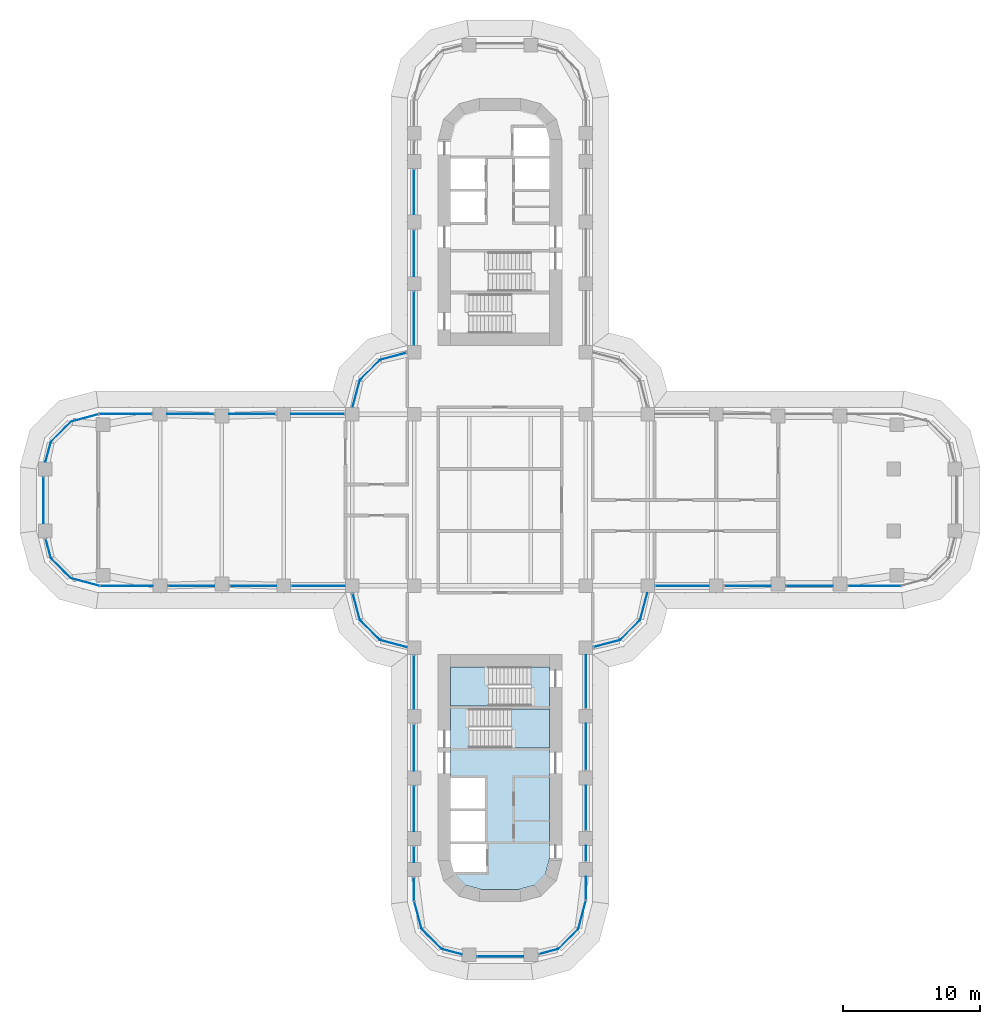
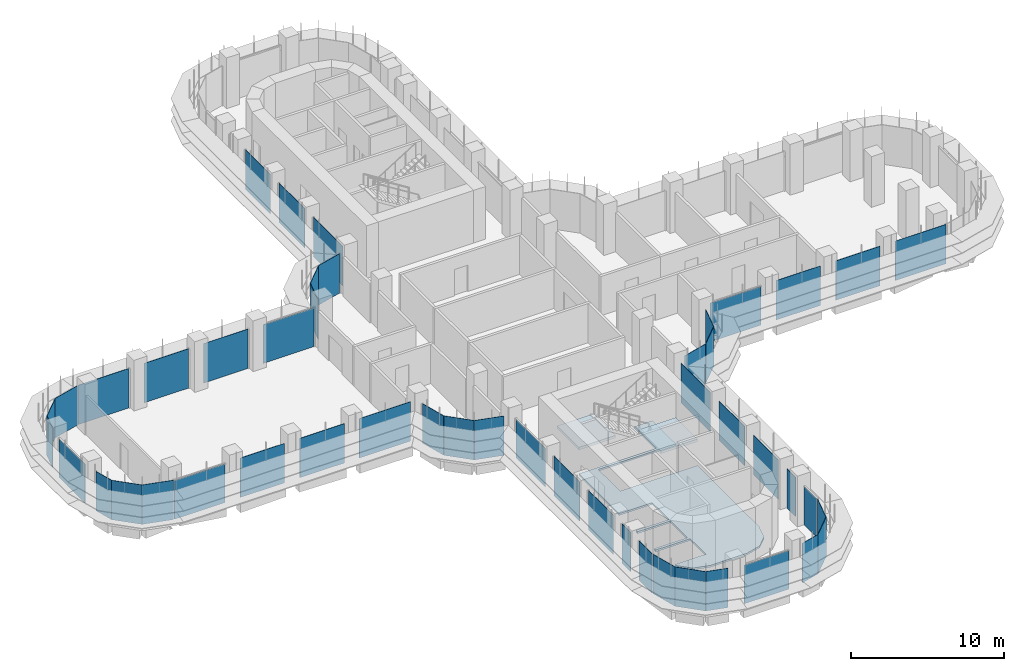
# One storey, part 13 of 23: 48 plates, 3 slabs, 31 elements without a shape of their own.
"""IFC4 building model written with IfcOpenShell, lengths in metres."""

import ifcopenshell
import ifcopenshell.guid

model = None  # the IFC model being written
_history = None  # IfcOwnerHistory: only IFC2X3 demands one
_inside = {}  # id of a spatial element -> (the spatial element, [elements in it])
_under = {}  # id of a project, library or spatial element -> (it, [spatial elements below it])
_declared = {}  # id of a project -> (the project, [libraries it declares])
_typed = {}  # id of a type object -> (the type object, [elements of that type])
_made_of = {}  # id of a material, layer set ... -> (it, [elements and type objects made of it])


def new_model(schema):
    """Start an empty IFC model of exactly this schema.

    Asked for "IFC4X3", IfcOpenShell would pick the latest addendum, in which some entities
    have other attributes; the version numbers below select the first issue.
    IFC2X3 requires an IfcOwnerHistory on every rooted entity: one is made here for all.
    """
    global model, _history
    if schema == "IFC4X3":
        model = ifcopenshell.file(schema_version=(4, 3, 0, 0))
    else:
        model = ifcopenshell.file(schema=schema)
    _inside.clear()
    _under.clear()
    _declared.clear()
    _typed.clear()
    _made_of.clear()
    _history = None
    if model.schema == "IFC2X3":
        org = make("IfcOrganization", Name="unknown")
        user = make(
            "IfcPersonAndOrganization",
            ThePerson=make("IfcPerson", FamilyName="unknown"),
            TheOrganization=org,
        )
        app = make(
            "IfcApplication",
            ApplicationDeveloper=org,
            Version="unknown",
            ApplicationFullName="unknown",
            ApplicationIdentifier="unknown",
        )
        _history = make(
            "IfcOwnerHistory",
            OwningUser=user,
            OwningApplication=app,
            ChangeAction="ADDED",
            CreationDate=0,
        )
    return model


def make(cls, **values):
    """One entity of the class cls with the attributes given. An attribute that is None is left unset."""
    return model.create_entity(
        cls, **{name: value for name, value in values.items() if value is not None}
    )


def rooted(cls, **values):
    """An entity with a GlobalId (a new one), such as an element, a storey or a relation."""
    return make(cls, GlobalId=ifcopenshell.guid.new(), OwnerHistory=_history, **values)


def si_unit(unit_type, name, prefix=None):
    """IfcSIUnit, for example si_unit("LENGTHUNIT", "METRE", prefix="MILLI")."""
    return make("IfcSIUnit", UnitType=unit_type, Prefix=prefix, Name=name)


def assignment(units):
    """IfcUnitAssignment: the units of a project."""
    return None if units is None else make("IfcUnitAssignment", Units=units)


def point(xyz):
    """IfcCartesianPoint."""
    return None if xyz is None else make("IfcCartesianPoint", Coordinates=xyz)


def direction(xyz):
    """IfcDirection."""
    return None if xyz is None else make("IfcDirection", DirectionRatios=xyz)


def frame(location, z_axis=None, x_axis=None):
    """IfcAxis2Placement3D, a coordinate frame: its origin and axes. An axis left out is left unset."""
    return make(
        "IfcAxis2Placement3D",
        Location=point(location),
        Axis=direction(z_axis),
        RefDirection=direction(x_axis),
    )


def origin():
    """The frame at (0, 0, 0) with its axes left unset."""
    return frame((0.0, 0.0, 0.0))


def place(relative_to, where):
    """IfcLocalPlacement: puts the frame where relative to a parent placement (None: the world)."""
    return make(
        "IfcLocalPlacement", PlacementRelTo=relative_to, RelativePlacement=where
    )


def context(
    kind, dimensions, precision=None, world=None, true_north=None, identifier=None
):
    """IfcGeometricRepresentationContext, for example the 3D "Model" context."""
    return make(
        "IfcGeometricRepresentationContext",
        ContextIdentifier=identifier,
        ContextType=kind,
        CoordinateSpaceDimension=dimensions,
        Precision=precision,
        WorldCoordinateSystem=world,
        TrueNorth=true_north,
    )


def subcontext(parent, identifier, kind, view, scale=None):
    """IfcGeometricRepresentationSubContext, for example "Body" below "Model"."""
    return make(
        "IfcGeometricRepresentationSubContext",
        ContextIdentifier=identifier,
        ContextType=kind,
        ParentContext=parent,
        TargetScale=scale,
        TargetView=view,
    )


def project(units=None, contexts=None):
    """IfcProject with its units and contexts."""
    return rooted(
        "IfcProject",
        Name="project",
        RepresentationContexts=contexts,
        UnitsInContext=assignment(units),
    )


def spatial(cls, under=None, at=None, **own):
    """A site, building, storey or space (cls), placed at a placement, below another one or the project."""
    s = rooted(cls, ObjectPlacement=at, **own)
    if under is not None:
        _under.setdefault(under.id(), (under, []))[1].append(s)
    return s


def polyline(points):
    """IfcPolyline through the points."""
    return make("IfcPolyline", Points=[point(p) for p in points])


def outline(outer, holes=None, kind="AREA"):
    """IfcArbitraryClosedProfileDef: a profile drawn as a closed curve; with holes, ...WithVoids."""
    if holes is None:
        return make("IfcArbitraryClosedProfileDef", ProfileType=kind, OuterCurve=outer)
    return make(
        "IfcArbitraryProfileDefWithVoids",
        ProfileType=kind,
        OuterCurve=outer,
        InnerCurves=holes,
    )


def extrude(swept, where, along, depth):
    """IfcExtrudedAreaSolid: the profile swept, set in the frame where, extruded along a direction by depth."""
    return make(
        "IfcExtrudedAreaSolid",
        SweptArea=swept,
        Position=where,
        ExtrudedDirection=direction(along),
        Depth=depth,
    )


def shape(context_of_items, identifier, shape_type, items):
    """IfcShapeRepresentation: the items that make up one representation, for example the "Body"."""
    return make(
        "IfcShapeRepresentation",
        ContextOfItems=context_of_items,
        RepresentationIdentifier=identifier,
        RepresentationType=shape_type,
        Items=items,
    )


def source(mapping_origin, context_of_items, identifier, shape_type, items):
    """IfcRepresentationMap: a shape defined once, which mapped items show again and again."""
    return make(
        "IfcRepresentationMap",
        MappingOrigin=mapping_origin,
        MappedRepresentation=shape(context_of_items, identifier, shape_type, items),
    )


def transform(
    local_origin,
    x_axis=None,
    y_axis=None,
    z_axis=None,
    scale=None,
    scale2=None,
    scale3=None,
    uniform=True,
):
    """IfcCartesianTransformationOperator3D, or its non-uniform kind. x_axis, y_axis, z_axis: its Axis1, 2, 3."""
    if uniform:
        return make(
            "IfcCartesianTransformationOperator3D",
            Axis1=direction(x_axis),
            Axis2=direction(y_axis),
            LocalOrigin=point(local_origin),
            Scale=scale,
            Axis3=direction(z_axis),
        )
    return make(
        "IfcCartesianTransformationOperator3DnonUniform",
        Axis1=direction(x_axis),
        Axis2=direction(y_axis),
        LocalOrigin=point(local_origin),
        Scale=scale,
        Axis3=direction(z_axis),
        Scale2=scale2,
        Scale3=scale3,
    )


def mapped(mapping_source, mapping_target):
    """IfcMappedItem: shows the shape of a source again, moved by a transform."""
    return make(
        "IfcMappedItem", MappingSource=mapping_source, MappingTarget=mapping_target
    )


def material(Name=None, Category=None):
    """IfcMaterial."""
    return make("IfcMaterial", Name=Name, Category=Category)


def layer(
    of_material, thickness, ventilated=None, Name=None, Category=None, Priority=None
):
    """IfcMaterialLayer: one layer of a wall or slab, of a material (None: an air gap)."""
    return make(
        "IfcMaterialLayer",
        Material=of_material,
        LayerThickness=thickness,
        IsVentilated=ventilated,
        Name=Name,
        Category=Category,
        Priority=Priority,
    )


def layer_set(layers, Name=None):
    """IfcMaterialLayerSet."""
    return make("IfcMaterialLayerSet", MaterialLayers=layers, LayerSetName=Name)


def made_of(thing, what):
    """Note that an element or type object is made of a material, layer set ...; save() writes the relation."""
    if what is not None:
        _made_of.setdefault(what.id(), (what, []))[1].append(thing)
    return thing


def type_object(cls, material=None, **own):
    """A type object (cls), such as IfcWallType, which elements share."""
    return made_of(rooted(cls, **own), material)


def element(
    cls,
    number,
    at=None,
    inside=None,
    cuts=None,
    type_object=None,
    material=None,
    context=None,
    identifier="Body",
    shape_type=None,
    held_by="IfcProductDefinitionShape",
    body=None,
    shapes=None,
    **own,
):
    """One element of the class cls, such as IfcWall. Its Tag is "e" and its number.

    at: its placement. inside: the storey or other place that contains it. cuts: it is an
    opening in that element (IfcRelVoidsElement). A single representation is given by context,
    identifier, shape_type and body (its items); several are given by shapes. held_by: the class
    of the entity that holds the representations. save() writes the other relations.
    """
    e = rooted(cls, Tag="e%d" % number, ObjectPlacement=at, **own)
    if body is not None:
        shapes = [shape(context, identifier, shape_type, body)]
    if shapes is not None:
        e.Representation = make(held_by, Representations=shapes)
    if inside is not None:
        _inside.setdefault(inside.id(), (inside, []))[1].append(e)
    if cuts is not None:
        rooted(
            "IfcRelVoidsElement", RelatingBuildingElement=cuts, RelatedOpeningElement=e
        )
    if type_object is not None:
        _typed.setdefault(type_object.id(), (type_object, []))[1].append(e)
    return made_of(e, material)


def aggregate(whole, parts):
    """IfcRelAggregates: a whole, such as a stair, and the parts it consists of."""
    return rooted("IfcRelAggregates", RelatingObject=whole, RelatedObjects=parts)


def save(model, path):
    """Write the relations noted so far, then the file.

    IfcRelAggregates (storeys below a building ...), IfcRelContainedInSpatialStructure (elements
    in a storey), IfcRelDefinesByType, IfcRelAssociatesMaterial and IfcRelDeclares: one each for
    every whole, place, type object, material and project.
    """
    for whole, parts in _under.values():
        aggregate(whole, parts)
    for where, things in _inside.values():
        rooted(
            "IfcRelContainedInSpatialStructure",
            RelatedElements=things,
            RelatingStructure=where,
        )
    for kind, things in _typed.values():
        rooted("IfcRelDefinesByType", RelatedObjects=things, RelatingType=kind)
    for what, things in _made_of.values():
        rooted("IfcRelAssociatesMaterial", RelatedObjects=things, RelatingMaterial=what)
    for by, libraries in _declared.values():
        rooted("IfcRelDeclares", RelatingContext=by, RelatedDefinitions=libraries)
    model.write(path)


model = new_model("IFC4")

# Units and contexts
model_context = context("Model", 3, precision=1e-05, world=origin(), true_north=direction((0.0, 1.0)))
body_context = subcontext(model_context, "Body", "Model", "MODEL_VIEW")
ifc_project = project(units=[si_unit("LENGTHUNIT", "METRE"), si_unit("AREAUNIT", "SQUARE_METRE"), si_unit("VOLUMEUNIT", "CUBIC_METRE"), si_unit("PLANEANGLEUNIT", "RADIAN"), si_unit("MASSUNIT", "GRAM", prefix="KILO")], contexts=[model_context])

# Site, building, storey
site_placement = place(None, origin())
site = spatial("IfcSite", under=ifc_project, at=site_placement, CompositionType="ELEMENT")
building_placement = place(site_placement, origin())
building = spatial("IfcBuilding", under=site, at=building_placement, Name="Zarbagh Exchange Tower", CompositionType="ELEMENT")
storey_placement = place(building_placement, frame((0.0, 0.0, 77.39990234375)))
storey = spatial("IfcBuildingStorey", under=building, at=storey_placement, Name="L17", CompositionType="ELEMENT", Elevation=77.39990234375)

# Slab
ifc_material_1 = material(Name="Concrete C40/50", Category="concrete")
ifc_layer_1 = layer(ifc_material_1, 0.14990234375)
ifc_layer_set_1 = layer_set([ifc_layer_1], Name="Core floor slab 150 C40/50")
slab_type_1 = type_object("IfcSlabType", Name="Core floor slab 150 C40/50", PredefinedType="FLOOR", material=ifc_layer_set_1)
slab_1_placement = place(storey_placement, frame((0.0, 0.0, -0.14990234375)))
element("IfcSlab", 1, at=slab_1_placement, inside=storey, type_object=slab_type_1, Name="S17 core S", PredefinedType="FLOOR", context=body_context, shape_type="SweptSolid", body=[
    extrude(outline(polyline([(-2.5341796875, -28.041259765625), (-3.291259765625, -27.2841796875), (-3.340576171875, -27.10009765625), (-1.0, -27.10009765625), (-1.0, -25.050048828125), (-3.60009765625, -25.050048828125), (-3.60009765625, -24.85009765625), (-1.10009765625, -24.85009765625), (-1.10009765625, -22.64990234375), (-3.60009765625, -22.64990234375), (-3.60009765625, -22.449951171875), (-1.10009765625, -22.449951171875), (-1.10009765625, -20.25), (-3.60009765625, -20.25), (-3.60009765625, -15.0), (2.25, -15.0), (2.25, -12.14990234375), (3.60009765625, -12.14990234375), (3.60009765625, -15.199951171875), (-2.25, -15.199951171875), (-2.25, -18.050048828125), (3.60009765625, -18.050048828125), (3.60009765625, -26.131591796875), (3.291259765625, -27.2841796875), (2.5341796875, -28.041259765625), (1.381591796875, -28.35009765625), (-1.381591796875, -28.35009765625), (-2.5341796875, -28.041259765625)])), origin(), (0.0, 0.0, 1.0), 0.14990234375),
])

# Stair, slab
stair_type = type_object("IfcStairType", Name="Exit stair two-flight half-turn", PredefinedType="HALF_TURN_STAIR", material=ifc_material_1)
stair_1_placement = place(storey_placement, origin())
stair_1 = element("IfcStair", 2, at=stair_1_placement, inside=storey, type_object=stair_type, Name="exit stair ST3", PredefinedType="HALF_TURN_STAIR")
ifc_layer_2 = layer(ifc_material_1, 0.199951171875)
ifc_layer_set_2 = layer_set([ifc_layer_2], Name="Stair landing 200 mm")
slab_type_2 = type_object("IfcSlabType", Name="Stair landing 200 mm", PredefinedType="LANDING", material=ifc_layer_set_2)
slab_2_placement = place(storey_placement, frame((0.0, 0.0, 1.900146484375)))
slab_2 = element("IfcSlab", 3, at=slab_2_placement, type_object=slab_type_2, Name="ST3 landing 1", PredefinedType="LANDING", context=body_context, shape_type="SweptSolid", body=[
    extrude(outline(polyline([(0.830078125, -18.050048828125), (3.60009765625, -18.050048828125), (3.60009765625, -15.199951171875), (0.830078125, -15.199951171875), (0.830078125, -18.050048828125)])), origin(), (0.0, 0.0, 1.0), 0.199951171875),
])
aggregate(stair_1, [slab_2])

stair_2_placement = place(storey_placement, origin())
stair_2 = element("IfcStair", 4, at=stair_2_placement, inside=storey, type_object=stair_type, Name="exit stair ST4", PredefinedType="HALF_TURN_STAIR")
slab_3_placement = place(storey_placement, frame((0.0, 0.0, 1.900146484375)))
slab_3 = element("IfcSlab", 5, at=slab_3_placement, type_object=slab_type_2, Name="ST4 landing 1", PredefinedType="LANDING", context=body_context, shape_type="SweptSolid", body=[
    extrude(outline(polyline([(-0.830078125, -12.14990234375), (-3.60009765625, -12.14990234375), (-3.60009765625, -15.0), (-0.830078125, -15.0), (-0.830078125, -12.14990234375)])), origin(), (0.0, 0.0, 1.0), 0.199951171875),
])
aggregate(stair_2, [slab_3])

# Curtain wall, plate
ifc_material_2 = material(Name="Anodised aluminium frame and glazing", Category="aluminium")
curtain_wall_type = type_object("IfcCurtainWallType", Name="CWA Ribbon glazing, lower zones", PredefinedType="NOTDEFINED", material=ifc_material_2)
curtain_wall_1_placement = place(storey_placement, origin())
curtain_wall_1 = element("IfcCurtainWall", 6, at=curtain_wall_1_placement, inside=storey, type_object=curtain_wall_type, Name="CWA01 curtain wall", PredefinedType="NOTDEFINED")
ifc_material_3 = material(Name="Low-e double glazed unit, 6+12+6 mm")
ifc_layer_3 = layer(ifc_material_3, 0.028076171875)
ifc_layer_set_3 = layer_set([ifc_layer_3], Name="PAA Glazing panel, Low-e double glazed unit, 6+12+6 mm")
plate_type = type_object("IfcPlateType", Name="PAA Glazing panel, Low-e double glazed unit, 6+12+6 mm", PredefinedType="CURTAIN_PANEL", material=ifc_layer_set_3)
shared_shape_1 = source(origin(), body_context, "Body", "SweptSolid", [
    extrude(outline(polyline([(0.0, -0.013916015625), (1.4423828125, -0.013916015625), (1.4423828125, 0.013916015625), (0.0, 0.013916015625), (0.0, -0.013916015625)])), origin(), (0.0, 0.0, 1.0), 3.14990234375),
])
placement = place(storey_placement, origin())
plate_1 = element("IfcPlate", 7, at=placement, type_object=plate_type, Name="CWA01 glazing panel 1.1", PredefinedType="CURTAIN_PANEL", context=body_context, shape_type="MappedRepresentation", body=[
    mapped(shared_shape_1, transform((2.847900390625, -33.072021484375, 0.0), x_axis=(0.965924289636, 0.258824779902, 0.0), y_axis=(-0.258824779902, 0.965924289636, 0.0), z_axis=(0.0, 0.0, 1.0))),
])
aggregate(curtain_wall_1, [plate_1])

curtain_wall_2_placement = place(storey_placement, origin())
curtain_wall_2 = element("IfcCurtainWall", 8, at=curtain_wall_2_placement, inside=storey, type_object=curtain_wall_type, Name="CWA37 curtain wall", PredefinedType="NOTDEFINED")
plate_2 = element("IfcPlate", 9, at=placement, type_object=plate_type, Name="CWA37 glazing panel 1.1", PredefinedType="CURTAIN_PANEL", context=body_context, shape_type="MappedRepresentation", body=[
    mapped(shared_shape_1, transform((-33.072021484375, -2.847900390625, 0.0), x_axis=(0.258824779902, -0.965924289636, 0.0), y_axis=(0.965924289636, 0.258824779902, 0.0), z_axis=(0.0, 0.0, 1.0))),
])
aggregate(curtain_wall_2, [plate_2])

curtain_wall_3_placement = place(storey_placement, origin())
curtain_wall_3 = element("IfcCurtainWall", 10, at=curtain_wall_3_placement, inside=storey, type_object=curtain_wall_type, Name="CWA02 curtain wall", PredefinedType="NOTDEFINED")
shared_shape_2 = source(origin(), body_context, "Body", "SweptSolid", [
    extrude(outline(polyline([(0.0, -0.013916015625), (2.061279296875, -0.013916015625), (2.061279296875, 0.013916015625), (0.0, 0.013916015625), (0.0, -0.013916015625)])), origin(), (0.0, 0.0, 1.0), 3.14990234375),
])
plate_3 = element("IfcPlate", 11, at=placement, type_object=plate_type, Name="CWA02 glazing panel 1.1", PredefinedType="CURTAIN_PANEL", context=body_context, shape_type="MappedRepresentation", body=[
    mapped(shared_shape_2, transform((4.2412109375, -32.69873046875, 0.0), x_axis=(0.707106781187, 0.707106781187, 0.0), y_axis=(-0.707106781187, 0.707106781187, 0.0), z_axis=(0.0, 0.0, 1.0))),
])
aggregate(curtain_wall_3, [plate_3])

curtain_wall_4_placement = place(storey_placement, origin())
curtain_wall_4 = element("IfcCurtainWall", 12, at=curtain_wall_4_placement, inside=storey, type_object=curtain_wall_type, Name="CWA06 curtain wall", PredefinedType="NOTDEFINED")
plate_4 = element("IfcPlate", 13, at=placement, type_object=plate_type, Name="CWA06 glazing panel 1.1", PredefinedType="CURTAIN_PANEL", context=body_context, shape_type="MappedRepresentation", body=[
    mapped(shared_shape_2, transform((8.7412109375, -10.19873046875, 0.0), x_axis=(0.707106781187, 0.707106781187, 0.0), y_axis=(-0.707106781187, 0.707106781187, 0.0), z_axis=(0.0, 0.0, 1.0))),
])
aggregate(curtain_wall_4, [plate_4])

curtain_wall_5_placement = place(storey_placement, origin())
curtain_wall_5 = element("IfcCurtainWall", 14, at=curtain_wall_5_placement, inside=storey, type_object=curtain_wall_type, Name="CWA30 curtain wall", PredefinedType="NOTDEFINED")
plate_5 = element("IfcPlate", 15, at=placement, type_object=plate_type, Name="CWA30 glazing panel 1.1", PredefinedType="CURTAIN_PANEL", context=body_context, shape_type="MappedRepresentation", body=[
    mapped(shared_shape_2, transform((-8.7412109375, 10.19873046875, 0.0), x_axis=(-0.707106781187, -0.707106781187, 0.0), y_axis=(0.707106781187, -0.707106781187, 0.0), z_axis=(0.0, 0.0, 1.0))),
])
aggregate(curtain_wall_5, [plate_5])

curtain_wall_6_placement = place(storey_placement, origin())
curtain_wall_6 = element("IfcCurtainWall", 16, at=curtain_wall_6_placement, inside=storey, type_object=curtain_wall_type, Name="CWA34 curtain wall", PredefinedType="NOTDEFINED")
plate_6 = element("IfcPlate", 17, at=placement, type_object=plate_type, Name="CWA34 glazing panel 1.1", PredefinedType="CURTAIN_PANEL", context=body_context, shape_type="MappedRepresentation", body=[
    mapped(shared_shape_2, transform((-31.2412109375, 5.69873046875, 0.0), x_axis=(-0.707106781187, -0.707106781187, 0.0), y_axis=(0.707106781187, -0.707106781187, 0.0), z_axis=(0.0, 0.0, 1.0))),
])
aggregate(curtain_wall_6, [plate_6])

curtain_wall_7_placement = place(storey_placement, origin())
curtain_wall_7 = element("IfcCurtainWall", 18, at=curtain_wall_7_placement, inside=storey, type_object=curtain_wall_type, Name="CWA38 curtain wall", PredefinedType="NOTDEFINED")
plate_7 = element("IfcPlate", 19, at=placement, type_object=plate_type, Name="CWA38 glazing panel 1.1", PredefinedType="CURTAIN_PANEL", context=body_context, shape_type="MappedRepresentation", body=[
    mapped(shared_shape_2, transform((-32.69873046875, -4.2412109375, 0.0), x_axis=(0.707106781187, -0.707106781187, 0.0), y_axis=(0.707106781187, 0.707106781187, 0.0), z_axis=(0.0, 0.0, 1.0))),
])
aggregate(curtain_wall_7, [plate_7])

curtain_wall_8_placement = place(storey_placement, origin())
curtain_wall_8 = element("IfcCurtainWall", 20, at=curtain_wall_8_placement, inside=storey, type_object=curtain_wall_type, Name="CWA42 curtain wall", PredefinedType="NOTDEFINED")
plate_8 = element("IfcPlate", 21, at=placement, type_object=plate_type, Name="CWA42 glazing panel 1.1", PredefinedType="CURTAIN_PANEL", context=body_context, shape_type="MappedRepresentation", body=[
    mapped(shared_shape_2, transform((-10.19873046875, -8.7412109375, 0.0), x_axis=(0.707106781187, -0.707106781187, 0.0), y_axis=(0.707106781187, 0.707106781187, 0.0), z_axis=(0.0, 0.0, 1.0))),
])
aggregate(curtain_wall_8, [plate_8])

curtain_wall_9_placement = place(storey_placement, origin())
curtain_wall_9 = element("IfcCurtainWall", 22, at=curtain_wall_9_placement, inside=storey, type_object=curtain_wall_type, Name="CWA46 curtain wall", PredefinedType="NOTDEFINED")
plate_9 = element("IfcPlate", 23, at=placement, type_object=plate_type, Name="CWA46 glazing panel 1.1", PredefinedType="CURTAIN_PANEL", context=body_context, shape_type="MappedRepresentation", body=[
    mapped(shared_shape_2, transform((-5.69873046875, -31.2412109375, 0.0), x_axis=(0.707106781187, -0.707106781187, 0.0), y_axis=(0.707106781187, 0.707106781187, 0.0), z_axis=(0.0, 0.0, 1.0))),
])
aggregate(curtain_wall_9, [plate_9])

curtain_wall_10_placement = place(storey_placement, origin())
curtain_wall_10 = element("IfcCurtainWall", 24, at=curtain_wall_10_placement, inside=storey, type_object=curtain_wall_type, Name="CWA03 curtain wall", PredefinedType="NOTDEFINED")
shared_shape_3 = source(origin(), body_context, "Body", "SweptSolid", [
    extrude(outline(polyline([(0.0, -0.013916015625), (2.129638671875, -0.013916015625), (2.129638671875, 0.013916015625), (0.0, 0.013916015625), (0.0, -0.013916015625)])), origin(), (0.0, 0.0, 1.0), 3.14990234375),
])
plate_10 = element("IfcPlate", 25, at=placement, type_object=plate_type, Name="CWA03 glazing panel 1.1", PredefinedType="CURTAIN_PANEL", context=body_context, shape_type="MappedRepresentation", body=[
    mapped(shared_shape_3, transform((5.69873046875, -31.2412109375, 0.0), x_axis=(0.258824779902, 0.965924289636, 0.0), y_axis=(-0.965924289636, 0.258824779902, 0.0), z_axis=(0.0, 0.0, 1.0))),
])
aggregate(curtain_wall_10, [plate_10])

curtain_wall_11_placement = place(storey_placement, origin())
curtain_wall_11 = element("IfcCurtainWall", 26, at=curtain_wall_11_placement, inside=storey, type_object=curtain_wall_type, Name="CWA39 curtain wall", PredefinedType="NOTDEFINED")
plate_11 = element("IfcPlate", 27, at=placement, type_object=plate_type, Name="CWA39 glazing panel 1.1", PredefinedType="CURTAIN_PANEL", context=body_context, shape_type="MappedRepresentation", body=[
    mapped(shared_shape_3, transform((-31.2412109375, -5.69873046875, 0.0), x_axis=(0.965924289636, -0.258824779902, 0.0), y_axis=(0.258824779902, 0.965924289636, 0.0), z_axis=(0.0, 0.0, 1.0))),
])
aggregate(curtain_wall_11, [plate_11])

# Curtain wall, plates
curtain_wall_12_placement = place(storey_placement, origin())
curtain_wall_12 = element("IfcCurtainWall", 28, at=curtain_wall_12_placement, inside=storey, type_object=curtain_wall_type, Name="CWA04 curtain wall", PredefinedType="NOTDEFINED")
shared_shape_4 = source(origin(), body_context, "Body", "SweptSolid", [
    extrude(outline(polyline([(0.0, -0.013916015625), (1.68408203125, -0.013916015625), (1.68408203125, 0.013916015625), (0.0, 0.013916015625), (0.0, -0.013916015625)])), origin(), (0.0, 0.0, 1.0), 3.090087890625),
])
plate_12 = element("IfcPlate", 29, at=placement, type_object=plate_type, Name="CWA04 glazing panel 1.1", PredefinedType="CURTAIN_PANEL", context=body_context, shape_type="MappedRepresentation", body=[
    mapped(shared_shape_4, transform((6.25, -29.124267578125, 0.0), x_axis=(0.0, 1.0, 0.0), y_axis=(-1.0, 0.0, 0.0), z_axis=(0.0, 0.0, 1.0))),
])
shared_shape_5 = source(origin(), body_context, "Body", "SweptSolid", [
    extrude(outline(polyline([(0.0, -0.013916015625), (1.110107421875, -0.013916015625), (1.110107421875, 0.013916015625), (0.0, 0.013916015625), (0.0, -0.013916015625)])), origin(), (0.0, 0.0, 1.0), 3.14990234375),
])
plate_13 = element("IfcPlate", 30, at=placement, type_object=plate_type, Name="CWA04 glazing panel 2.1", PredefinedType="CURTAIN_PANEL", context=body_context, shape_type="MappedRepresentation", body=[
    mapped(shared_shape_5, transform((6.25, -26.300048828125, 0.0), x_axis=(0.0, 1.0, 0.0), y_axis=(-1.0, 0.0, 0.0), z_axis=(0.0, 0.0, 1.0))),
])

# Curtain wall, plate
curtain_wall_13_placement = place(storey_placement, origin())
curtain_wall_13 = element("IfcCurtainWall", 31, at=curtain_wall_13_placement, inside=storey, type_object=curtain_wall_type, Name="CWA44 curtain wall", PredefinedType="NOTDEFINED")
plate_14 = element("IfcPlate", 32, at=placement, type_object=plate_type, Name="CWA44 glazing panel 4.1", PredefinedType="CURTAIN_PANEL", context=body_context, shape_type="MappedRepresentation", body=[
    mapped(shared_shape_5, transform((-6.25, -25.25, 0.0), x_axis=(0.0, -1.0, 0.0), y_axis=(1.0, 0.0, 0.0), z_axis=(0.0, 0.0, 1.0))),
])

# Plate
shared_shape_6 = source(origin(), body_context, "Body", "SweptSolid", [
    extrude(outline(polyline([(0.0, -0.013916015625), (3.260009765625, -0.013916015625), (3.260009765625, 0.013916015625), (0.0, 0.013916015625), (0.0, -0.013916015625)])), origin(), (0.0, 0.0, 1.0), 3.14990234375),
])
plate_15 = element("IfcPlate", 33, at=placement, type_object=plate_type, Name="CWA04 glazing panel 3.1", PredefinedType="CURTAIN_PANEL", context=body_context, shape_type="MappedRepresentation", body=[
    mapped(shared_shape_6, transform((6.25, -24.050048828125, 0.0), x_axis=(0.0, 1.0, 0.0), y_axis=(-1.0, 0.0, 0.0), z_axis=(0.0, 0.0, 1.0))),
])

# Curtain wall, plate
curtain_wall_14_placement = place(storey_placement, origin())
curtain_wall_14 = element("IfcCurtainWall", 34, at=curtain_wall_14_placement, inside=storey, type_object=curtain_wall_type, Name="CWA28 curtain wall", PredefinedType="NOTDEFINED")
plate_16 = element("IfcPlate", 35, at=placement, type_object=plate_type, Name="CWA28 glazing panel 3.1", PredefinedType="CURTAIN_PANEL", context=body_context, shape_type="MappedRepresentation", body=[
    mapped(shared_shape_6, transform((-6.25, 24.050048828125, 0.0), x_axis=(0.0, -1.0, 0.0), y_axis=(1.0, 0.0, 0.0), z_axis=(0.0, 0.0, 1.0))),
])

# Plate
plate_17 = element("IfcPlate", 36, at=placement, type_object=plate_type, Name="CWA44 glazing panel 3.1", PredefinedType="CURTAIN_PANEL", context=body_context, shape_type="MappedRepresentation", body=[
    mapped(shared_shape_6, transform((-6.25, -20.85009765625, 0.0), x_axis=(0.0, -1.0, 0.0), y_axis=(1.0, 0.0, 0.0), z_axis=(0.0, 0.0, 1.0))),
])

shared_shape_7 = source(origin(), body_context, "Body", "SweptSolid", [
    extrude(outline(polyline([(0.0, -0.013916015625), (3.360107421875, -0.013916015625), (3.360107421875, 0.013916015625), (0.0, 0.013916015625), (0.0, -0.013916015625)])), origin(), (0.0, 0.0, 1.0), 3.14990234375),
])
plate_18 = element("IfcPlate", 37, at=placement, type_object=plate_type, Name="CWA04 glazing panel 4.1", PredefinedType="CURTAIN_PANEL", context=body_context, shape_type="MappedRepresentation", body=[
    mapped(shared_shape_7, transform((6.25, -19.64990234375, 0.0), x_axis=(0.0, 1.0, 0.0), y_axis=(-1.0, 0.0, 0.0), z_axis=(0.0, 0.0, 1.0))),
])

# Curtain wall, plates
curtain_wall_15_placement = place(storey_placement, origin())
curtain_wall_15 = element("IfcCurtainWall", 38, at=curtain_wall_15_placement, inside=storey, type_object=curtain_wall_type, Name="CWA08 curtain wall", PredefinedType="NOTDEFINED")
plate_19 = element("IfcPlate", 39, at=placement, type_object=plate_type, Name="CWA08 glazing panel 2.1", PredefinedType="CURTAIN_PANEL", context=body_context, shape_type="MappedRepresentation", body=[
    mapped(shared_shape_7, transform((16.35009765625, -6.25, 0.0), x_axis=(1.0, 0.0, 0.0), y_axis=(0.0, 1.0, 0.0), z_axis=(0.0, 0.0, 1.0))),
])
plate_20 = element("IfcPlate", 40, at=placement, type_object=plate_type, Name="CWA08 glazing panel 3.1", PredefinedType="CURTAIN_PANEL", context=body_context, shape_type="MappedRepresentation", body=[
    mapped(shared_shape_7, transform((20.85009765625, -6.25, 0.0), x_axis=(1.0, 0.0, 0.0), y_axis=(0.0, 1.0, 0.0), z_axis=(0.0, 0.0, 1.0))),
])

# Plate
plate_21 = element("IfcPlate", 41, at=placement, type_object=plate_type, Name="CWA28 glazing panel 4.1", PredefinedType="CURTAIN_PANEL", context=body_context, shape_type="MappedRepresentation", body=[
    mapped(shared_shape_7, transform((-6.25, 19.64990234375, 0.0), x_axis=(0.0, -1.0, 0.0), y_axis=(1.0, 0.0, 0.0), z_axis=(0.0, 0.0, 1.0))),
])

# Curtain wall, plates
curtain_wall_16_placement = place(storey_placement, origin())
curtain_wall_16 = element("IfcCurtainWall", 42, at=curtain_wall_16_placement, inside=storey, type_object=curtain_wall_type, Name="CWA32 curtain wall", PredefinedType="NOTDEFINED")
plate_22 = element("IfcPlate", 43, at=placement, type_object=plate_type, Name="CWA32 glazing panel 2.1", PredefinedType="CURTAIN_PANEL", context=body_context, shape_type="MappedRepresentation", body=[
    mapped(shared_shape_7, transform((-16.35009765625, 6.25, 0.0), x_axis=(-1.0, 0.0, 0.0), y_axis=(0.0, -1.0, 0.0), z_axis=(0.0, 0.0, 1.0))),
])
plate_23 = element("IfcPlate", 44, at=placement, type_object=plate_type, Name="CWA32 glazing panel 3.1", PredefinedType="CURTAIN_PANEL", context=body_context, shape_type="MappedRepresentation", body=[
    mapped(shared_shape_7, transform((-20.85009765625, 6.25, 0.0), x_axis=(-1.0, 0.0, 0.0), y_axis=(0.0, -1.0, 0.0), z_axis=(0.0, 0.0, 1.0))),
])

curtain_wall_17_placement = place(storey_placement, origin())
curtain_wall_17 = element("IfcCurtainWall", 45, at=curtain_wall_17_placement, inside=storey, type_object=curtain_wall_type, Name="CWA40 curtain wall", PredefinedType="NOTDEFINED")
plate_24 = element("IfcPlate", 46, at=placement, type_object=plate_type, Name="CWA40 glazing panel 2.1", PredefinedType="CURTAIN_PANEL", context=body_context, shape_type="MappedRepresentation", body=[
    mapped(shared_shape_7, transform((-24.14990234375, -6.25, 0.0), x_axis=(1.0, 0.0, 0.0), y_axis=(0.0, 1.0, 0.0), z_axis=(0.0, 0.0, 1.0))),
])
plate_25 = element("IfcPlate", 47, at=placement, type_object=plate_type, Name="CWA40 glazing panel 3.1", PredefinedType="CURTAIN_PANEL", context=body_context, shape_type="MappedRepresentation", body=[
    mapped(shared_shape_7, transform((-19.64990234375, -6.25, 0.0), x_axis=(1.0, 0.0, 0.0), y_axis=(0.0, 1.0, 0.0), z_axis=(0.0, 0.0, 1.0))),
])

# Plate
plate_26 = element("IfcPlate", 48, at=placement, type_object=plate_type, Name="CWA44 glazing panel 2.1", PredefinedType="CURTAIN_PANEL", context=body_context, shape_type="MappedRepresentation", body=[
    mapped(shared_shape_7, transform((-6.25, -16.35009765625, 0.0), x_axis=(0.0, -1.0, 0.0), y_axis=(1.0, 0.0, 0.0), z_axis=(0.0, 0.0, 1.0))),
])

# Curtain wall, plate
curtain_wall_18_placement = place(storey_placement, origin())
curtain_wall_18 = element("IfcCurtainWall", 49, at=curtain_wall_18_placement, inside=storey, type_object=curtain_wall_type, Name="CWA05 curtain wall", PredefinedType="NOTDEFINED")
shared_shape_8 = source(origin(), body_context, "Body", "SweptSolid", [
    extrude(outline(polyline([(0.0, -0.013916015625), (1.9599609375, -0.013916015625), (1.9599609375, 0.013916015625), (0.0, 0.013916015625), (0.0, -0.013916015625)])), origin(), (0.0, 0.0, 1.0), 3.14990234375),
])
plate_27 = element("IfcPlate", 50, at=placement, type_object=plate_type, Name="CWA05 glazing panel 1.1", PredefinedType="CURTAIN_PANEL", context=body_context, shape_type="MappedRepresentation", body=[
    mapped(shared_shape_8, transform((6.847900390625, -10.7060546875, 0.0), x_axis=(0.965924289636, 0.258824779902, 0.0), y_axis=(-0.258824779902, 0.965924289636, 0.0), z_axis=(0.0, 0.0, 1.0))),
])
aggregate(curtain_wall_18, [plate_27])

curtain_wall_19_placement = place(storey_placement, origin())
curtain_wall_19 = element("IfcCurtainWall", 51, at=curtain_wall_19_placement, inside=storey, type_object=curtain_wall_type, Name="CWA29 curtain wall", PredefinedType="NOTDEFINED")
plate_28 = element("IfcPlate", 52, at=placement, type_object=plate_type, Name="CWA29 glazing panel 1.1", PredefinedType="CURTAIN_PANEL", context=body_context, shape_type="MappedRepresentation", body=[
    mapped(shared_shape_8, transform((-6.847900390625, 10.7060546875, 0.0), x_axis=(-0.965924289636, -0.258824779902, 0.0), y_axis=(0.258824779902, -0.965924289636, 0.0), z_axis=(0.0, 0.0, 1.0))),
])
aggregate(curtain_wall_19, [plate_28])

curtain_wall_20_placement = place(storey_placement, origin())
curtain_wall_20 = element("IfcCurtainWall", 53, at=curtain_wall_20_placement, inside=storey, type_object=curtain_wall_type, Name="CWA41 curtain wall", PredefinedType="NOTDEFINED")
plate_29 = element("IfcPlate", 54, at=placement, type_object=plate_type, Name="CWA41 glazing panel 1.1", PredefinedType="CURTAIN_PANEL", context=body_context, shape_type="MappedRepresentation", body=[
    mapped(shared_shape_8, transform((-10.7060546875, -6.847900390625, 0.0), x_axis=(0.258824779902, -0.965924289636, 0.0), y_axis=(0.965924289636, 0.258824779902, 0.0), z_axis=(0.0, 0.0, 1.0))),
])
aggregate(curtain_wall_20, [plate_29])

curtain_wall_21_placement = place(storey_placement, origin())
curtain_wall_21 = element("IfcCurtainWall", 55, at=curtain_wall_21_placement, inside=storey, type_object=curtain_wall_type, Name="CWA07 curtain wall", PredefinedType="NOTDEFINED")
shared_shape_9 = source(origin(), body_context, "Body", "SweptSolid", [
    extrude(outline(polyline([(0.0, -0.013916015625), (2.02001953125, -0.013916015625), (2.02001953125, 0.013916015625), (0.0, 0.013916015625), (0.0, -0.013916015625)])), origin(), (0.0, 0.0, 1.0), 3.14990234375),
])
plate_30 = element("IfcPlate", 56, at=placement, type_object=plate_type, Name="CWA07 glazing panel 1.1", PredefinedType="CURTAIN_PANEL", context=body_context, shape_type="MappedRepresentation", body=[
    mapped(shared_shape_9, transform((10.19873046875, -8.7412109375, 0.0), x_axis=(0.258824779902, 0.965924289636, 0.0), y_axis=(-0.965924289636, 0.258824779902, 0.0), z_axis=(0.0, 0.0, 1.0))),
])
aggregate(curtain_wall_21, [plate_30])

curtain_wall_22_placement = place(storey_placement, origin())
curtain_wall_22 = element("IfcCurtainWall", 57, at=curtain_wall_22_placement, inside=storey, type_object=curtain_wall_type, Name="CWA31 curtain wall", PredefinedType="NOTDEFINED")
plate_31 = element("IfcPlate", 58, at=placement, type_object=plate_type, Name="CWA31 glazing panel 1.1", PredefinedType="CURTAIN_PANEL", context=body_context, shape_type="MappedRepresentation", body=[
    mapped(shared_shape_9, transform((-10.19873046875, 8.7412109375, 0.0), x_axis=(-0.258824779902, -0.965924289636, 0.0), y_axis=(0.965924289636, -0.258824779902, 0.0), z_axis=(0.0, 0.0, 1.0))),
])
aggregate(curtain_wall_22, [plate_31])

curtain_wall_23_placement = place(storey_placement, origin())
curtain_wall_23 = element("IfcCurtainWall", 59, at=curtain_wall_23_placement, inside=storey, type_object=curtain_wall_type, Name="CWA43 curtain wall", PredefinedType="NOTDEFINED")
plate_32 = element("IfcPlate", 60, at=placement, type_object=plate_type, Name="CWA43 glazing panel 1.1", PredefinedType="CURTAIN_PANEL", context=body_context, shape_type="MappedRepresentation", body=[
    mapped(shared_shape_9, transform((-8.7412109375, -10.19873046875, 0.0), x_axis=(0.965924289636, -0.258824779902, 0.0), y_axis=(0.258824779902, 0.965924289636, 0.0), z_axis=(0.0, 0.0, 1.0))),
])
aggregate(curtain_wall_23, [plate_32])

# Plate
shared_shape_10 = source(origin(), body_context, "Body", "SweptSolid", [
    extrude(outline(polyline([(0.0, -0.013916015625), (3.860107421875, -0.013916015625), (3.860107421875, 0.013916015625), (0.0, 0.013916015625), (0.0, -0.013916015625)])), origin(), (0.0, 0.0, 1.0), 3.090087890625),
])
plate_33 = element("IfcPlate", 61, at=placement, type_object=plate_type, Name="CWA08 glazing panel 1.1", PredefinedType="CURTAIN_PANEL", context=body_context, shape_type="MappedRepresentation", body=[
    mapped(shared_shape_10, transform((11.35009765625, -6.25, 0.0), x_axis=(1.0, 0.0, 0.0), y_axis=(0.0, 1.0, 0.0), z_axis=(0.0, 0.0, 1.0))),
])

plate_34 = element("IfcPlate", 62, at=placement, type_object=plate_type, Name="CWA32 glazing panel 1.1", PredefinedType="CURTAIN_PANEL", context=body_context, shape_type="MappedRepresentation", body=[
    mapped(shared_shape_10, transform((-11.35009765625, 6.25, 0.0), x_axis=(-1.0, 0.0, 0.0), y_axis=(0.0, -1.0, 0.0), z_axis=(0.0, 0.0, 1.0))),
])

plate_35 = element("IfcPlate", 63, at=placement, type_object=plate_type, Name="CWA44 glazing panel 1.1", PredefinedType="CURTAIN_PANEL", context=body_context, shape_type="MappedRepresentation", body=[
    mapped(shared_shape_10, transform((-6.25, -11.35009765625, 0.0), x_axis=(0.0, -1.0, 0.0), y_axis=(1.0, 0.0, 0.0), z_axis=(0.0, 0.0, 1.0))),
])

shared_shape_11 = source(origin(), body_context, "Body", "SweptSolid", [
    extrude(outline(polyline([(0.0, -0.013916015625), (3.833984375, -0.013916015625), (3.833984375, 0.013916015625), (0.0, 0.013916015625), (0.0, -0.013916015625)])), origin(), (0.0, 0.0, 1.0), 3.14990234375),
])
plate_36 = element("IfcPlate", 64, at=placement, type_object=plate_type, Name="CWA08 glazing panel 4.1", PredefinedType="CURTAIN_PANEL", context=body_context, shape_type="MappedRepresentation", body=[
    mapped(shared_shape_11, transform((25.35009765625, -6.25, 0.0), x_axis=(1.0, 0.0, 0.0), y_axis=(0.0, 1.0, 0.0), z_axis=(0.0, 0.0, 1.0))),
])

aggregate(curtain_wall_15, [plate_33, plate_19, plate_20, plate_36])

plate_37 = element("IfcPlate", 65, at=placement, type_object=plate_type, Name="CWA32 glazing panel 4.1", PredefinedType="CURTAIN_PANEL", context=body_context, shape_type="MappedRepresentation", body=[
    mapped(shared_shape_11, transform((-25.35009765625, 6.25, 0.0), x_axis=(-1.0, 0.0, 0.0), y_axis=(0.0, -1.0, 0.0), z_axis=(0.0, 0.0, 1.0))),
])

aggregate(curtain_wall_16, [plate_34, plate_22, plate_23, plate_37])

# Curtain wall, plate
curtain_wall_24_placement = place(storey_placement, origin())
curtain_wall_24 = element("IfcCurtainWall", 66, at=curtain_wall_24_placement, inside=storey, type_object=curtain_wall_type, Name="CWA33 curtain wall", PredefinedType="NOTDEFINED")
shared_shape_12 = source(origin(), body_context, "Body", "SweptSolid", [
    extrude(outline(polyline([(0.0, -0.013916015625), (2.069580078125, -0.013916015625), (2.069580078125, 0.013916015625), (0.0, 0.013916015625), (0.0, -0.013916015625)])), origin(), (0.0, 0.0, 1.0), 3.14990234375),
])
plate_38 = element("IfcPlate", 67, at=placement, type_object=plate_type, Name="CWA33 glazing panel 1.1", PredefinedType="CURTAIN_PANEL", context=body_context, shape_type="MappedRepresentation", body=[
    mapped(shared_shape_12, transform((-29.2421875, 6.234375, 0.0), x_axis=(-0.965924289636, -0.258824779902, 0.0), y_axis=(0.258824779902, -0.965924289636, 0.0), z_axis=(0.0, 0.0, 1.0))),
])
aggregate(curtain_wall_24, [plate_38])

curtain_wall_25_placement = place(storey_placement, origin())
curtain_wall_25 = element("IfcCurtainWall", 68, at=curtain_wall_25_placement, inside=storey, type_object=curtain_wall_type, Name="CWA45 curtain wall", PredefinedType="NOTDEFINED")
plate_39 = element("IfcPlate", 69, at=placement, type_object=plate_type, Name="CWA45 glazing panel 1.1", PredefinedType="CURTAIN_PANEL", context=body_context, shape_type="MappedRepresentation", body=[
    mapped(shared_shape_12, transform((-6.234375, -29.2421875, 0.0), x_axis=(0.258824779902, -0.965924289636, 0.0), y_axis=(0.965924289636, 0.258824779902, 0.0), z_axis=(0.0, 0.0, 1.0))),
])
aggregate(curtain_wall_25, [plate_39])

curtain_wall_26_placement = place(storey_placement, origin())
curtain_wall_26 = element("IfcCurtainWall", 70, at=curtain_wall_26_placement, inside=storey, type_object=curtain_wall_type, Name="CWA35 curtain wall", PredefinedType="NOTDEFINED")
shared_shape_13 = source(origin(), body_context, "Body", "SweptSolid", [
    extrude(outline(polyline([(0.0, -0.013916015625), (1.50244140625, -0.013916015625), (1.50244140625, 0.013916015625), (0.0, 0.013916015625), (0.0, -0.013916015625)])), origin(), (0.0, 0.0, 1.0), 3.14990234375),
])
plate_40 = element("IfcPlate", 71, at=placement, type_object=plate_type, Name="CWA35 glazing panel 1.1", PredefinedType="CURTAIN_PANEL", context=body_context, shape_type="MappedRepresentation", body=[
    mapped(shared_shape_13, transform((-32.69873046875, 4.2412109375, 0.0), x_axis=(-0.258824779902, -0.965924289636, 0.0), y_axis=(0.965924289636, -0.258824779902, 0.0), z_axis=(0.0, 0.0, 1.0))),
])
aggregate(curtain_wall_26, [plate_40])

curtain_wall_27_placement = place(storey_placement, origin())
curtain_wall_27 = element("IfcCurtainWall", 72, at=curtain_wall_27_placement, inside=storey, type_object=curtain_wall_type, Name="CWA47 curtain wall", PredefinedType="NOTDEFINED")
plate_41 = element("IfcPlate", 73, at=placement, type_object=plate_type, Name="CWA47 glazing panel 1.1", PredefinedType="CURTAIN_PANEL", context=body_context, shape_type="MappedRepresentation", body=[
    mapped(shared_shape_13, transform((-4.2412109375, -32.69873046875, 0.0), x_axis=(0.965924289636, -0.258824779902, 0.0), y_axis=(0.258824779902, 0.965924289636, 0.0), z_axis=(0.0, 0.0, 1.0))),
])
aggregate(curtain_wall_27, [plate_41])

curtain_wall_28_placement = place(storey_placement, origin())
curtain_wall_28 = element("IfcCurtainWall", 74, at=curtain_wall_28_placement, inside=storey, type_object=curtain_wall_type, Name="CWA36 curtain wall", PredefinedType="NOTDEFINED")
shared_shape_14 = source(origin(), body_context, "Body", "SweptSolid", [
    extrude(outline(polyline([(0.0, -0.013916015625), (3.360107421875, -0.013916015625), (3.360107421875, 0.013916015625), (0.0, 0.013916015625), (0.0, -0.013916015625)])), origin(), (0.0, 0.0, 1.0), 3.090087890625),
])
plate_42 = element("IfcPlate", 75, at=placement, type_object=plate_type, Name="CWA36 glazing panel 1.1", PredefinedType="CURTAIN_PANEL", context=body_context, shape_type="MappedRepresentation", body=[
    mapped(shared_shape_14, transform((-33.25, 1.64990234375, 0.0), x_axis=(0.0, -1.0, 0.0), y_axis=(1.0, 0.0, 0.0), z_axis=(0.0, 0.0, 1.0))),
])
aggregate(curtain_wall_28, [plate_42])

curtain_wall_29_placement = place(storey_placement, origin())
curtain_wall_29 = element("IfcCurtainWall", 76, at=curtain_wall_29_placement, inside=storey, type_object=curtain_wall_type, Name="CWA48 curtain wall", PredefinedType="NOTDEFINED")
plate_43 = element("IfcPlate", 77, at=placement, type_object=plate_type, Name="CWA48 glazing panel 1.1", PredefinedType="CURTAIN_PANEL", context=body_context, shape_type="MappedRepresentation", body=[
    mapped(shared_shape_14, transform((-1.64990234375, -33.25, 0.0), x_axis=(1.0, 0.0, 0.0), y_axis=(0.0, 1.0, 0.0), z_axis=(0.0, 0.0, 1.0))),
])
aggregate(curtain_wall_29, [plate_43])

# Plate
shared_shape_15 = source(origin(), body_context, "Body", "SweptSolid", [
    extrude(outline(polyline([(0.0, -0.013916015625), (3.834228515625, -0.013916015625), (3.834228515625, 0.013916015625), (0.0, 0.013916015625), (0.0, -0.013916015625)])), origin(), (0.0, 0.0, 1.0), 3.090087890625),
])
plate_44 = element("IfcPlate", 78, at=placement, type_object=plate_type, Name="CWA40 glazing panel 1.1", PredefinedType="CURTAIN_PANEL", context=body_context, shape_type="MappedRepresentation", body=[
    mapped(shared_shape_15, transform((-29.124267578125, -6.25, 0.0), x_axis=(1.0, 0.0, 0.0), y_axis=(0.0, 1.0, 0.0), z_axis=(0.0, 0.0, 1.0))),
])

shared_shape_16 = source(origin(), body_context, "Body", "SweptSolid", [
    extrude(outline(polyline([(0.0, -0.013916015625), (3.860107421875, -0.013916015625), (3.860107421875, 0.013916015625), (0.0, 0.013916015625), (0.0, -0.013916015625)])), origin(), (0.0, 0.0, 1.0), 3.14990234375),
])
plate_45 = element("IfcPlate", 79, at=placement, type_object=plate_type, Name="CWA04 glazing panel 5.1", PredefinedType="CURTAIN_PANEL", context=body_context, shape_type="MappedRepresentation", body=[
    mapped(shared_shape_16, transform((6.25, -15.14990234375, 0.0), x_axis=(0.0, 1.0, 0.0), y_axis=(-1.0, 0.0, 0.0), z_axis=(0.0, 0.0, 1.0))),
])

aggregate(curtain_wall_12, [plate_12, plate_13, plate_15, plate_18, plate_45])

plate_46 = element("IfcPlate", 80, at=placement, type_object=plate_type, Name="CWA28 glazing panel 5.1", PredefinedType="CURTAIN_PANEL", context=body_context, shape_type="MappedRepresentation", body=[
    mapped(shared_shape_16, transform((-6.25, 15.14990234375, 0.0), x_axis=(0.0, -1.0, 0.0), y_axis=(1.0, 0.0, 0.0), z_axis=(0.0, 0.0, 1.0))),
])

aggregate(curtain_wall_14, [plate_16, plate_21, plate_46])

plate_47 = element("IfcPlate", 81, at=placement, type_object=plate_type, Name="CWA40 glazing panel 4.1", PredefinedType="CURTAIN_PANEL", context=body_context, shape_type="MappedRepresentation", body=[
    mapped(shared_shape_16, transform((-15.14990234375, -6.25, 0.0), x_axis=(1.0, 0.0, 0.0), y_axis=(0.0, 1.0, 0.0), z_axis=(0.0, 0.0, 1.0))),
])

aggregate(curtain_wall_17, [plate_44, plate_24, plate_25, plate_47])

shared_shape_17 = source(origin(), body_context, "Body", "SweptSolid", [
    extrude(outline(polyline([(0.0, -0.013916015625), (1.68408203125, -0.013916015625), (1.68408203125, 0.013916015625), (0.0, 0.013916015625), (0.0, -0.013916015625)])), origin(), (0.0, 0.0, 1.0), 3.14990234375),
])
plate_48 = element("IfcPlate", 82, at=placement, type_object=plate_type, Name="CWA44 glazing panel 5.1", PredefinedType="CURTAIN_PANEL", context=body_context, shape_type="MappedRepresentation", body=[
    mapped(shared_shape_17, transform((-6.25, -27.5, 0.0), x_axis=(0.0, -1.0, 0.0), y_axis=(1.0, 0.0, 0.0), z_axis=(0.0, 0.0, 1.0))),
])

aggregate(curtain_wall_13, [plate_35, plate_26, plate_17, plate_14, plate_48])

save(model, "model.ifc")
